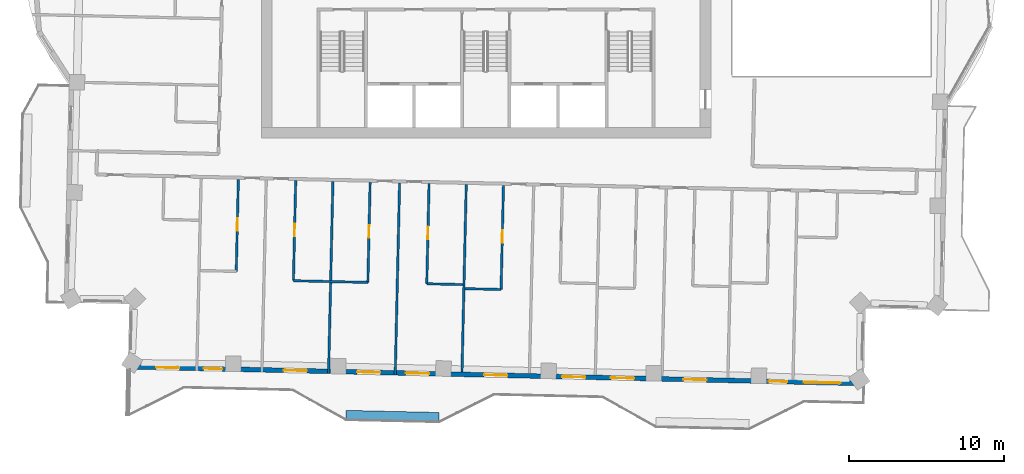
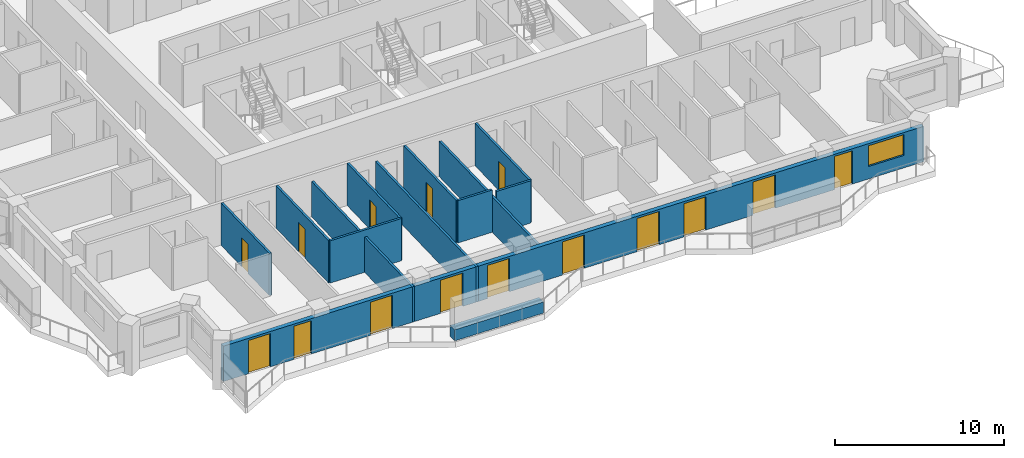
# One storey, part 6 of 17: 15 doors, 13 walls, 1 window, 16 openings.
"""IFC4 building model written with IfcOpenShell, lengths in metres."""

from ifc_helpers import new_model, si_unit, direction, frame, frame_2d, origin, place, context, subcontext, project, spatial, rectangle, extrude, material, layer, layer_set, type_object, element, fill, save


model = new_model("IFC4")

# Units and contexts
model_context = context("Model", 3, precision=1e-05, world=origin(), true_north=direction((0.0, 1.0)))
body_context = subcontext(model_context, "Body", "Model", "MODEL_VIEW")
ifc_project = project(units=[si_unit("LENGTHUNIT", "METRE"), si_unit("AREAUNIT", "SQUARE_METRE"), si_unit("VOLUMEUNIT", "CUBIC_METRE"), si_unit("PLANEANGLEUNIT", "RADIAN"), si_unit("MASSUNIT", "GRAM", prefix="KILO")], contexts=[model_context])

# Site, building, storey
site_placement = place(None, origin())
site = spatial("IfcSite", under=ifc_project, at=site_placement, CompositionType="ELEMENT")
building_placement = place(site_placement, origin())
building = spatial("IfcBuilding", under=site, at=building_placement, Name="Mangrove Gate Tower", CompositionType="ELEMENT")
storey_placement = place(building_placement, frame((0.0, 0.0, 264.5)))
storey = spatial("IfcBuildingStorey", under=building, at=storey_placement, Name="L67", CompositionType="ELEMENT", Elevation=264.5)

# Wall, openings, doors, window
ifc_material_1 = material(Name="Limestone", Category="masonry")
ifc_layer_1 = layer(ifc_material_1, 0.0400390625, Name="Limestone cladding")
ifc_material_2 = material(Name="Ventilated air gap")
ifc_layer_2 = layer(ifc_material_2, 0.0400390625, Name="Ventilated cavity")
ifc_material_3 = material(Name="Mineral wool insulation")
ifc_layer_3 = layer(ifc_material_3, 0.06005859375, Name="Insulation")
ifc_material_4 = material(Name="Breather membrane")
ifc_layer_4 = layer(ifc_material_4, 0.001953125, Name="Breather membrane")
ifc_material_5 = material(Name="Concrete C20/25 blockwork", Category="masonry")
ifc_layer_5 = layer(ifc_material_5, 0.14990234375, Name="Blockwork backing wall")
ifc_material_6 = material(Name="Gypsum plaster")
ifc_layer_6 = layer(ifc_material_6, 0.008056640625, Name="Internal plaster")
ifc_layer_set_1 = layer_set([ifc_layer_1, ifc_layer_2, ifc_layer_3, ifc_layer_4, ifc_layer_5, ifc_layer_6], Name="External wall 300 limestone cladding")
wall_type_1 = type_object("IfcWallType", Name="External wall 300 limestone cladding", PredefinedType="SOLIDWALL", material=ifc_layer_set_1)
wall_1_placement = place(storey_placement, frame((-22.949951171875, -26.2490234375, 0.0), z_axis=(0.0, 0.0, 1.0), x_axis=(0.999742196137, -0.022705533743, 0.0)))
wall_1 = element("IfcWall", 1, at=wall_1_placement, inside=storey, type_object=wall_type_1, Name="WALL-L67-S13", PredefinedType="SOLIDWALL", context=body_context, shape_type="SweptSolid", body=[
    extrude(rectangle(XDim=47.171142578125, YDim=0.300048828125, at=frame_2d((23.58544921875, 0.0))), origin(), (0.0, 0.0, 1.0), 2.550048828125),
])
opening_1_placement = place(wall_1_placement, frame((1.676025390625, 0.0, 0.0)))
opening_1 = element("IfcOpeningElement", 2, at=opening_1_placement, cuts=wall_1, Name="Opening BD1", PredefinedType="OPENING", context=body_context, shape_type="SweptSolid", body=[
    extrude(rectangle(XDim=1.5, YDim=2.39990234375, at=frame_2d((0.75, 1.199951171875))), frame((0.0, 0.159912109375, 0.0), z_axis=(0.0, -1.0, 0.0), x_axis=(1.0, 0.0, 0.0)), (0.0, 0.0, 1.0), 0.320068359375),
])
opening_2_placement = place(wall_1_placement, frame((4.740966796875, 0.0, 0.0)))
opening_2 = element("IfcOpeningElement", 3, at=opening_2_placement, cuts=wall_1, Name="Opening BD2", PredefinedType="OPENING", context=body_context, shape_type="SweptSolid", body=[
    extrude(rectangle(XDim=1.199951171875, YDim=2.39990234375, at=frame_2d((0.60009765625, 1.199951171875))), frame((0.0, 0.159912109375, 0.0), z_axis=(0.0, -1.0, 0.0), x_axis=(1.0, 0.0, 0.0)), (0.0, 0.0, 1.0), 0.320068359375),
])
opening_3_placement = place(wall_1_placement, frame((9.89990234375, 0.0, 0.0)))
opening_3 = element("IfcOpeningElement", 4, at=opening_3_placement, cuts=wall_1, Name="Opening BD1", PredefinedType="OPENING", context=body_context, shape_type="SweptSolid", body=[
    extrude(rectangle(XDim=1.5, YDim=2.39990234375, at=frame_2d((0.75, 1.199951171875))), frame((0.0, 0.159912109375, 0.0), z_axis=(0.0, -1.0, 0.0), x_axis=(1.0, 0.0, 0.0)), (0.0, 0.0, 1.0), 0.320068359375),
])
opening_4_placement = place(wall_1_placement, frame((14.632080078125, 0.0, 0.0)))
opening_4 = element("IfcOpeningElement", 5, at=opening_4_placement, cuts=wall_1, Name="Opening BD1", PredefinedType="OPENING", context=body_context, shape_type="SweptSolid", body=[
    extrude(rectangle(XDim=1.5, YDim=2.39990234375, at=frame_2d((0.75, 1.199951171875))), frame((0.0, 0.159912109375, 0.0), z_axis=(0.0, -1.0, 0.0), x_axis=(1.0, 0.0, 0.0)), (0.0, 0.0, 1.0), 0.320068359375),
])
opening_5_placement = place(wall_1_placement, frame((17.77294921875, 0.0, 0.0)))
opening_5 = element("IfcOpeningElement", 6, at=opening_5_placement, cuts=wall_1, Name="Opening BD1", PredefinedType="OPENING", context=body_context, shape_type="SweptSolid", body=[
    extrude(rectangle(XDim=1.5, YDim=2.39990234375, at=frame_2d((0.75, 1.199951171875))), frame((0.0, 0.159912109375, 0.0), z_axis=(0.0, -1.0, 0.0), x_axis=(1.0, 0.0, 0.0)), (0.0, 0.0, 1.0), 0.320068359375),
])
opening_6_placement = place(wall_1_placement, frame((22.824951171875, 0.0, 0.0)))
opening_6 = element("IfcOpeningElement", 7, at=opening_6_placement, cuts=wall_1, Name="Opening BD1", PredefinedType="OPENING", context=body_context, shape_type="SweptSolid", body=[
    extrude(rectangle(XDim=1.5, YDim=2.39990234375, at=frame_2d((0.75, 1.199951171875))), frame((0.0, 0.159912109375, 0.0), z_axis=(0.0, -1.0, 0.0), x_axis=(1.0, 0.0, 0.0)), (0.0, 0.0, 1.0), 0.320068359375),
])
opening_7_placement = place(wall_1_placement, frame((27.863037109375, 0.0, 0.0)))
opening_7 = element("IfcOpeningElement", 8, at=opening_7_placement, cuts=wall_1, Name="Opening BD1", PredefinedType="OPENING", context=body_context, shape_type="SweptSolid", body=[
    extrude(rectangle(XDim=1.5, YDim=2.39990234375, at=frame_2d((0.75, 1.199951171875))), frame((0.0, 0.159912109375, 0.0), z_axis=(0.0, -1.0, 0.0), x_axis=(1.0, 0.0, 0.0)), (0.0, 0.0, 1.0), 0.320068359375),
])
opening_8_placement = place(wall_1_placement, frame((31.00390625, 0.0, 0.0)))
opening_8 = element("IfcOpeningElement", 9, at=opening_8_placement, cuts=wall_1, Name="Opening BD1", PredefinedType="OPENING", context=body_context, shape_type="SweptSolid", body=[
    extrude(rectangle(XDim=1.5, YDim=2.39990234375, at=frame_2d((0.75, 1.199951171875))), frame((0.0, 0.159912109375, 0.0), z_axis=(0.0, -1.0, 0.0), x_axis=(1.0, 0.0, 0.0)), (0.0, 0.0, 1.0), 0.320068359375),
])
opening_9_placement = place(wall_1_placement, frame((35.675048828125, 0.0, 0.0)))
opening_9 = element("IfcOpeningElement", 10, at=opening_9_placement, cuts=wall_1, Name="Opening BD1", PredefinedType="OPENING", context=body_context, shape_type="SweptSolid", body=[
    extrude(rectangle(XDim=1.5, YDim=2.39990234375, at=frame_2d((0.75, 1.199951171875))), frame((0.0, 0.159912109375, 0.0), z_axis=(0.0, -1.0, 0.0), x_axis=(1.0, 0.0, 0.0)), (0.0, 0.0, 1.0), 0.320068359375),
])
opening_10_placement = place(wall_1_placement, frame((41.169921875, 0.0, 0.0)))
opening_10 = element("IfcOpeningElement", 11, at=opening_10_placement, cuts=wall_1, Name="Opening BD2", PredefinedType="OPENING", context=body_context, shape_type="SweptSolid", body=[
    extrude(rectangle(XDim=1.199951171875, YDim=2.39990234375, at=frame_2d((0.60009765625, 1.199951171875))), frame((0.0, 0.159912109375, 0.0), z_axis=(0.0, -1.0, 0.0), x_axis=(1.0, 0.0, 0.0)), (0.0, 0.0, 1.0), 0.320068359375),
])
opening_11_placement = place(wall_1_placement, frame((43.43798828125, 0.0, 0.89990234375)))
opening_11 = element("IfcOpeningElement", 12, at=opening_11_placement, cuts=wall_1, Name="Opening W2", PredefinedType="OPENING", context=body_context, shape_type="SweptSolid", body=[
    extrude(rectangle(XDim=2.39990234375, YDim=1.5, at=frame_2d((1.199951171875, 0.75))), frame((0.0, 0.159912109375, 0.0), z_axis=(0.0, -1.0, 0.0), x_axis=(1.0, 0.0, 0.0)), (0.0, 0.0, 1.0), 0.320068359375),
])
ifc_material_7 = material(Name="Aluminium frame with laminated clear glass", Category="aluminium")
door_type_1 = type_object("IfcDoorType", Name="Balcony sliding door 1200x2400", OperationType="SLIDING_TO_LEFT", PredefinedType="DOOR", material=ifc_material_7)
door_1_placement = place(opening_2_placement, origin())
door_1 = element("IfcDoor", 13, at=door_1_placement, inside=storey, type_object=door_type_1, Name="DOOR-L67-S13-2", OperationType="SLIDING_TO_LEFT", OverallHeight=2.39990234375, OverallWidth=1.199951171875, PredefinedType="DOOR", context=body_context, shape_type="SweptSolid", body=[
    extrude(rectangle(XDim=1.199951171875, YDim=2.39990234375, at=frame_2d((0.60009765625, 1.199951171875))), frame((0.0, 0.02490234375, 0.0), z_axis=(0.0, -1.0, 0.0), x_axis=(1.0, 0.0, 0.0)), (0.0, 0.0, 1.0), 0.050048828125),
])
fill(opening_2, door_1)
door_2_placement = place(opening_10_placement, origin())
door_2 = element("IfcDoor", 14, at=door_2_placement, inside=storey, type_object=door_type_1, Name="DOOR-L67-S13-10", OperationType="SLIDING_TO_LEFT", OverallHeight=2.39990234375, OverallWidth=1.199951171875, PredefinedType="DOOR", context=body_context, shape_type="SweptSolid", body=[
    extrude(rectangle(XDim=1.199951171875, YDim=2.39990234375, at=frame_2d((0.60009765625, 1.199951171875))), frame((0.0, 0.02490234375, 0.0), z_axis=(0.0, -1.0, 0.0), x_axis=(1.0, 0.0, 0.0)), (0.0, 0.0, 1.0), 0.050048828125),
])
fill(opening_10, door_2)
ifc_material_8 = material(Name="Aluminium frame with laminated clear glass", Category="aluminium")
door_type_2 = type_object("IfcDoorType", Name="Balcony sliding door 1500x2400", OperationType="SLIDING_TO_LEFT", PredefinedType="DOOR", material=ifc_material_8)
door_3_placement = place(opening_1_placement, origin())
door_3 = element("IfcDoor", 15, at=door_3_placement, inside=storey, type_object=door_type_2, Name="DOOR-L67-S13-1", OperationType="SLIDING_TO_LEFT", OverallHeight=2.39990234375, OverallWidth=1.5, PredefinedType="DOOR", context=body_context, shape_type="SweptSolid", body=[
    extrude(rectangle(XDim=1.5, YDim=2.39990234375, at=frame_2d((0.75, 1.199951171875))), frame((0.0, 0.02490234375, 0.0), z_axis=(0.0, -1.0, 0.0), x_axis=(1.0, 0.0, 0.0)), (0.0, 0.0, 1.0), 0.050048828125),
])
fill(opening_1, door_3)
door_4_placement = place(opening_3_placement, origin())
door_4 = element("IfcDoor", 16, at=door_4_placement, inside=storey, type_object=door_type_2, Name="DOOR-L67-S13-3", OperationType="SLIDING_TO_LEFT", OverallHeight=2.39990234375, OverallWidth=1.5, PredefinedType="DOOR", context=body_context, shape_type="SweptSolid", body=[
    extrude(rectangle(XDim=1.5, YDim=2.39990234375, at=frame_2d((0.75, 1.199951171875))), frame((0.0, 0.02490234375, 0.0), z_axis=(0.0, -1.0, 0.0), x_axis=(1.0, 0.0, 0.0)), (0.0, 0.0, 1.0), 0.050048828125),
])
fill(opening_3, door_4)
door_5_placement = place(opening_4_placement, origin())
door_5 = element("IfcDoor", 17, at=door_5_placement, inside=storey, type_object=door_type_2, Name="DOOR-L67-S13-4", OperationType="SLIDING_TO_LEFT", OverallHeight=2.39990234375, OverallWidth=1.5, PredefinedType="DOOR", context=body_context, shape_type="SweptSolid", body=[
    extrude(rectangle(XDim=1.5, YDim=2.39990234375, at=frame_2d((0.75, 1.199951171875))), frame((0.0, 0.02490234375, 0.0), z_axis=(0.0, -1.0, 0.0), x_axis=(1.0, 0.0, 0.0)), (0.0, 0.0, 1.0), 0.050048828125),
])
fill(opening_4, door_5)
door_6_placement = place(opening_5_placement, origin())
door_6 = element("IfcDoor", 18, at=door_6_placement, inside=storey, type_object=door_type_2, Name="DOOR-L67-S13-5", OperationType="SLIDING_TO_LEFT", OverallHeight=2.39990234375, OverallWidth=1.5, PredefinedType="DOOR", context=body_context, shape_type="SweptSolid", body=[
    extrude(rectangle(XDim=1.5, YDim=2.39990234375, at=frame_2d((0.75, 1.199951171875))), frame((0.0, 0.02490234375, 0.0), z_axis=(0.0, -1.0, 0.0), x_axis=(1.0, 0.0, 0.0)), (0.0, 0.0, 1.0), 0.050048828125),
])
fill(opening_5, door_6)
door_7_placement = place(opening_6_placement, origin())
door_7 = element("IfcDoor", 19, at=door_7_placement, inside=storey, type_object=door_type_2, Name="DOOR-L67-S13-6", OperationType="SLIDING_TO_LEFT", OverallHeight=2.39990234375, OverallWidth=1.5, PredefinedType="DOOR", context=body_context, shape_type="SweptSolid", body=[
    extrude(rectangle(XDim=1.5, YDim=2.39990234375, at=frame_2d((0.75, 1.199951171875))), frame((0.0, 0.02490234375, 0.0), z_axis=(0.0, -1.0, 0.0), x_axis=(1.0, 0.0, 0.0)), (0.0, 0.0, 1.0), 0.050048828125),
])
fill(opening_6, door_7)
door_8_placement = place(opening_7_placement, origin())
door_8 = element("IfcDoor", 20, at=door_8_placement, inside=storey, type_object=door_type_2, Name="DOOR-L67-S13-7", OperationType="SLIDING_TO_LEFT", OverallHeight=2.39990234375, OverallWidth=1.5, PredefinedType="DOOR", context=body_context, shape_type="SweptSolid", body=[
    extrude(rectangle(XDim=1.5, YDim=2.39990234375, at=frame_2d((0.75, 1.199951171875))), frame((0.0, 0.02490234375, 0.0), z_axis=(0.0, -1.0, 0.0), x_axis=(1.0, 0.0, 0.0)), (0.0, 0.0, 1.0), 0.050048828125),
])
fill(opening_7, door_8)
door_9_placement = place(opening_8_placement, origin())
door_9 = element("IfcDoor", 21, at=door_9_placement, inside=storey, type_object=door_type_2, Name="DOOR-L67-S13-8", OperationType="SLIDING_TO_LEFT", OverallHeight=2.39990234375, OverallWidth=1.5, PredefinedType="DOOR", context=body_context, shape_type="SweptSolid", body=[
    extrude(rectangle(XDim=1.5, YDim=2.39990234375, at=frame_2d((0.75, 1.199951171875))), frame((0.0, 0.02490234375, 0.0), z_axis=(0.0, -1.0, 0.0), x_axis=(1.0, 0.0, 0.0)), (0.0, 0.0, 1.0), 0.050048828125),
])
fill(opening_8, door_9)
door_10_placement = place(opening_9_placement, origin())
door_10 = element("IfcDoor", 22, at=door_10_placement, inside=storey, type_object=door_type_2, Name="DOOR-L67-S13-9", OperationType="SLIDING_TO_LEFT", OverallHeight=2.39990234375, OverallWidth=1.5, PredefinedType="DOOR", context=body_context, shape_type="SweptSolid", body=[
    extrude(rectangle(XDim=1.5, YDim=2.39990234375, at=frame_2d((0.75, 1.199951171875))), frame((0.0, 0.02490234375, 0.0), z_axis=(0.0, -1.0, 0.0), x_axis=(1.0, 0.0, 0.0)), (0.0, 0.0, 1.0), 0.050048828125),
])
fill(opening_9, door_10)
ifc_material_9 = material(Name="Aluminium frame with double-glazed low-e glass", Category="aluminium")
window_type = type_object("IfcWindowType", Name="Corner room window 2400x1500", PartitioningType="DOUBLE_PANEL_VERTICAL", PredefinedType="WINDOW", material=ifc_material_9)
window_placement = place(opening_11_placement, origin())
window = element("IfcWindow", 23, at=window_placement, inside=storey, type_object=window_type, Name="WIN-L67-S13-11", OverallHeight=1.5, OverallWidth=2.39990234375, PartitioningType="DOUBLE_PANEL_VERTICAL", PredefinedType="WINDOW", context=body_context, shape_type="SweptSolid", body=[
    extrude(rectangle(XDim=2.39990234375, YDim=1.5, at=frame_2d((1.199951171875, 0.75))), frame((0.0, 0.030029296875, 0.0), z_axis=(0.0, -1.0, 0.0), x_axis=(1.0, 0.0, 0.0)), (0.0, 0.0, 1.0), 0.06005859375),
])
fill(opening_11, window)

# Walls
ifc_material_10 = material(Name="Gypsum board on steel stud, EI 60", Category="steel")
ifc_layer_7 = layer(ifc_material_10, 0.14990234375)
ifc_layer_set_2 = layer_set([ifc_layer_7], Name="Party wall 150 EI 60")
wall_type_2 = type_object("IfcWallType", Name="Party wall 150 EI 60", PredefinedType="PARTITIONING", material=ifc_layer_set_2)
wall_2_placement = place(storey_placement, frame((-10.160888671875, -26.68994140625, 0.0), z_axis=(0.0, 0.0, 1.0), x_axis=(0.022661475803, 0.999743195783, 0.0)))
element("IfcWall", 24, at=wall_2_placement, inside=storey, type_object=wall_type_2, Name="WALL-L67-003", PredefinedType="PARTITIONING", context=body_context, shape_type="SweptSolid", body=[
    extrude(rectangle(XDim=12.400146484375, YDim=0.14990234375, at=frame_2d((6.2001953125, 0.0))), origin(), (0.0, 0.0, 1.0), 2.550048828125),
])
wall_3_placement = place(storey_placement, frame((-5.862060546875, -26.787109375, 0.0), z_axis=(0.0, 0.0, 1.0), x_axis=(0.022661029756, 0.999743205894, 0.0)))
element("IfcWall", 25, at=wall_3_placement, inside=storey, type_object=wall_type_2, Name="WALL-L67-004", PredefinedType="PARTITIONING", context=body_context, shape_type="SweptSolid", body=[
    extrude(rectangle(XDim=12.400390625, YDim=0.14990234375, at=frame_2d((6.2001953125, 0.0))), origin(), (0.0, 0.0, 1.0), 2.550048828125),
])
wall_4_placement = place(storey_placement, frame((-1.556884765625, -26.5849609375, 0.0), z_axis=(0.0, 0.0, 1.0), x_axis=(0.022719113715, 0.999741887625, 0.0)))
element("IfcWall", 26, at=wall_4_placement, inside=storey, type_object=wall_type_2, Name="WALL-L67-005", PredefinedType="PARTITIONING", context=body_context, shape_type="SweptSolid", body=[
    extrude(rectangle(XDim=12.10009765625, YDim=0.14990234375, at=frame_2d((6.050048828125, 0.0))), origin(), (0.0, 0.0, 1.0), 2.550048828125),
])
wall_5_placement = place(storey_placement, frame((-1.35498046875, -21.2080078125, 0.0), z_axis=(0.0, 0.0, 1.0), x_axis=(0.999740260747, -0.02279059109, 0.0)))
element("IfcWall", 27, at=wall_5_placement, inside=storey, type_object=wall_type_2, Name="WALL-L67-011", PredefinedType="PARTITIONING", context=body_context, shape_type="SweptSolid", body=[
    extrude(rectangle(XDim=2.324462890625, YDim=0.14990234375, at=frame_2d((1.162109375, 0.0))), origin(), (0.0, 0.0, 1.0), 3.050048828125),
])

# Wall, opening, door
wall_6_placement = place(storey_placement, frame((0.965087890625, -21.260986328125, 0.0), z_axis=(0.0, 0.0, 1.0), x_axis=(0.022595152847, 0.999744696944, 0.0)))
wall_6 = element("IfcWall", 28, at=wall_6_placement, inside=storey, type_object=wall_type_2, Name="WALL-L67-012", PredefinedType="PARTITIONING", context=body_context, shape_type="SweptSolid", body=[
    extrude(rectangle(XDim=6.720703125, YDim=0.14990234375, at=frame_2d((3.3603515625, 0.0))), origin(), (0.0, 0.0, 1.0), 3.050048828125),
])
opening_12_placement = place(wall_6_placement, frame((3.010009765625, 0.0, 0.0)))
opening_12 = element("IfcOpeningElement", 29, at=opening_12_placement, cuts=wall_6, Name="Opening ED", PredefinedType="OPENING", context=body_context, shape_type="SweptSolid", body=[
    extrude(rectangle(XDim=0.800048828125, YDim=2.10009765625, at=frame_2d((0.39990234375, 1.050048828125))), frame((0.0, 0.0849609375, 0.0), z_axis=(0.0, -1.0, 0.0), x_axis=(1.0, 0.0, 0.0)), (0.0, 0.0, 1.0), 0.169921875),
])
ifc_material_11 = material(Name="Timber door leaf", Category="wood")
door_type_3 = type_object("IfcDoorType", Name="En-suite door 800", OperationType="SINGLE_SWING_LEFT", PredefinedType="DOOR", material=ifc_material_11)
door_11_placement = place(opening_12_placement, origin())
door_11 = element("IfcDoor", 30, at=door_11_placement, inside=storey, type_object=door_type_3, Name="DOOR-L67-ENS-c205", OperationType="SINGLE_SWING_LEFT", OverallHeight=2.10009765625, OverallWidth=0.800048828125, PredefinedType="DOOR", context=body_context, shape_type="SweptSolid", body=[
    extrude(rectangle(XDim=0.800048828125, YDim=2.10009765625, at=frame_2d((0.39990234375, 1.050048828125))), frame((0.0, 0.02490234375, 0.0), z_axis=(0.0, -1.0, 0.0), x_axis=(1.0, 0.0, 0.0)), (0.0, 0.0, 1.0), 0.050048828125),
])
fill(opening_12, door_11)

wall_7_placement = place(storey_placement, frame((-12.426025390625, -20.697021484375, 0.0), z_axis=(0.0, 0.0, 1.0), x_axis=(0.02274887394, 0.999741210881, 0.0)))
wall_7 = element("IfcWall", 31, at=wall_7_placement, inside=storey, type_object=wall_type_2, Name="WALL-L67-013", PredefinedType="PARTITIONING", context=body_context, shape_type="SweptSolid", body=[
    extrude(rectangle(XDim=6.460693359375, YDim=0.14990234375, at=frame_2d((3.23046875, 0.0))), origin(), (0.0, 0.0, 1.0), 3.050048828125),
])
opening_13_placement = place(wall_7_placement, frame((2.8798828125, 0.0, 0.0)))
opening_13 = element("IfcOpeningElement", 32, at=opening_13_placement, cuts=wall_7, Name="Opening ED", PredefinedType="OPENING", context=body_context, shape_type="SweptSolid", body=[
    extrude(rectangle(XDim=0.800048828125, YDim=2.10009765625, at=frame_2d((0.39990234375, 1.050048828125))), frame((0.0, 0.0849609375, 0.0), z_axis=(0.0, -1.0, 0.0), x_axis=(1.0, 0.0, 0.0)), (0.0, 0.0, 1.0), 0.169921875),
])
door_12_placement = place(opening_13_placement, origin())
door_12 = element("IfcDoor", 33, at=door_12_placement, inside=storey, type_object=door_type_3, Name="DOOR-L67-ENS-c102", OperationType="SINGLE_SWING_RIGHT", OverallHeight=2.10009765625, OverallWidth=0.800048828125, PredefinedType="DOOR", context=body_context, shape_type="SweptSolid", body=[
    extrude(rectangle(XDim=0.800048828125, YDim=2.10009765625, at=frame_2d((0.39990234375, 1.050048828125))), frame((0.0, 0.02490234375, 0.0), z_axis=(0.0, -1.0, 0.0), x_axis=(1.0, 0.0, 0.0)), (0.0, 0.0, 1.0), 0.050048828125),
])
fill(opening_13, door_12)

# Wall
wall_8_placement = place(storey_placement, frame((-12.422119140625, -20.697021484375, 0.0), z_axis=(0.0, 0.0, 1.0), x_axis=(0.999742701292, -0.022683280499, 0.0)))
element("IfcWall", 34, at=wall_8_placement, inside=storey, type_object=wall_type_2, Name="WALL-L67-014", PredefinedType="PARTITIONING", context=body_context, shape_type="SweptSolid", body=[
    extrude(rectangle(XDim=4.80029296875, YDim=0.14990234375, at=frame_2d((2.400146484375, 0.0))), origin(), (0.0, 0.0, 1.0), 3.050048828125),
])

# Wall, opening, door
wall_9_placement = place(storey_placement, frame((-7.626953125, -20.805908203125, 0.0), z_axis=(0.0, 0.0, 1.0), x_axis=(0.02274887394, 0.999741210881, 0.0)))
wall_9 = element("IfcWall", 35, at=wall_9_placement, inside=storey, type_object=wall_type_2, Name="WALL-L67-015", PredefinedType="PARTITIONING", context=body_context, shape_type="SweptSolid", body=[
    extrude(rectangle(XDim=6.460693359375, YDim=0.14990234375, at=frame_2d((3.23046875, 0.0))), origin(), (0.0, 0.0, 1.0), 3.050048828125),
])
opening_14_placement = place(wall_9_placement, frame((2.8798828125, 0.0, 0.0)))
opening_14 = element("IfcOpeningElement", 36, at=opening_14_placement, cuts=wall_9, Name="Opening ED", PredefinedType="OPENING", context=body_context, shape_type="SweptSolid", body=[
    extrude(rectangle(XDim=0.800048828125, YDim=2.10009765625, at=frame_2d((0.39990234375, 1.050048828125))), frame((0.0, 0.0849609375, 0.0), z_axis=(0.0, -1.0, 0.0), x_axis=(1.0, 0.0, 0.0)), (0.0, 0.0, 1.0), 0.169921875),
])
door_13_placement = place(opening_14_placement, origin())
door_13 = element("IfcDoor", 37, at=door_13_placement, inside=storey, type_object=door_type_3, Name="DOOR-L67-ENS-c103", OperationType="SINGLE_SWING_LEFT", OverallHeight=2.10009765625, OverallWidth=0.800048828125, PredefinedType="DOOR", context=body_context, shape_type="SweptSolid", body=[
    extrude(rectangle(XDim=0.800048828125, YDim=2.10009765625, at=frame_2d((0.39990234375, 1.050048828125))), frame((0.0, 0.02490234375, 0.0), z_axis=(0.0, -1.0, 0.0), x_axis=(1.0, 0.0, 0.0)), (0.0, 0.0, 1.0), 0.050048828125),
])
fill(opening_14, door_13)

wall_10_placement = place(storey_placement, frame((-3.827880859375, -20.89208984375, 0.0), z_axis=(0.0, 0.0, 1.0), x_axis=(0.02274887394, 0.999741210881, 0.0)))
wall_10 = element("IfcWall", 38, at=wall_10_placement, inside=storey, type_object=wall_type_2, Name="WALL-L67-016", PredefinedType="PARTITIONING", context=body_context, shape_type="SweptSolid", body=[
    extrude(rectangle(XDim=6.460693359375, YDim=0.14990234375, at=frame_2d((3.23046875, 0.0))), origin(), (0.0, 0.0, 1.0), 3.050048828125),
])
opening_15_placement = place(wall_10_placement, frame((2.8798828125, 0.0, 0.0)))
opening_15 = element("IfcOpeningElement", 39, at=opening_15_placement, cuts=wall_10, Name="Opening ED", PredefinedType="OPENING", context=body_context, shape_type="SweptSolid", body=[
    extrude(rectangle(XDim=0.800048828125, YDim=2.10009765625, at=frame_2d((0.39990234375, 1.050048828125))), frame((0.0, 0.0849609375, 0.0), z_axis=(0.0, -1.0, 0.0), x_axis=(1.0, 0.0, 0.0)), (0.0, 0.0, 1.0), 0.169921875),
])
door_14_placement = place(opening_15_placement, origin())
door_14 = element("IfcDoor", 40, at=door_14_placement, inside=storey, type_object=door_type_3, Name="DOOR-L67-ENS-c104", OperationType="SINGLE_SWING_RIGHT", OverallHeight=2.10009765625, OverallWidth=0.800048828125, PredefinedType="DOOR", context=body_context, shape_type="SweptSolid", body=[
    extrude(rectangle(XDim=0.800048828125, YDim=2.10009765625, at=frame_2d((0.39990234375, 1.050048828125))), frame((0.0, 0.02490234375, 0.0), z_axis=(0.0, -1.0, 0.0), x_axis=(1.0, 0.0, 0.0)), (0.0, 0.0, 1.0), 0.050048828125),
])
fill(opening_15, door_14)

# Wall
wall_11_placement = place(storey_placement, frame((-3.823974609375, -20.89208984375, 0.0), z_axis=(0.0, 0.0, 1.0), x_axis=(0.999740260747, -0.02279059109, 0.0)))
element("IfcWall", 41, at=wall_11_placement, inside=storey, type_object=wall_type_2, Name="WALL-L67-017", PredefinedType="PARTITIONING", context=body_context, shape_type="SweptSolid", body=[
    extrude(rectangle(XDim=2.324462890625, YDim=0.14990234375, at=frame_2d((1.162109375, 0.0))), origin(), (0.0, 0.0, 1.0), 3.050048828125),
])

# Wall, opening, door
wall_12_placement = place(storey_placement, frame((-16.113037109375, -20.093017578125, 0.0), z_axis=(0.0, 0.0, 1.0), x_axis=(0.022727006686, 0.999741708226, 0.0)))
wall_12 = element("IfcWall", 42, at=wall_12_placement, inside=storey, type_object=wall_type_2, Name="WALL-L67-025", PredefinedType="PARTITIONING", context=body_context, shape_type="SweptSolid", body=[
    extrude(rectangle(XDim=5.9404296875, YDim=0.14990234375, at=frame_2d((2.97021484375, 0.0))), origin(), (0.0, 0.0, 1.0), 3.050048828125),
])
opening_16_placement = place(wall_12_placement, frame((2.6201171875, 0.0, 0.0)))
opening_16 = element("IfcOpeningElement", 43, at=opening_16_placement, cuts=wall_12, Name="Opening ED", PredefinedType="OPENING", context=body_context, shape_type="SweptSolid", body=[
    extrude(rectangle(XDim=0.800048828125, YDim=2.10009765625, at=frame_2d((0.39990234375, 1.050048828125))), frame((0.0, 0.0849609375, 0.0), z_axis=(0.0, -1.0, 0.0), x_axis=(1.0, 0.0, 0.0)), (0.0, 0.0, 1.0), 0.169921875),
])
door_15_placement = place(opening_16_placement, origin())
door_15 = element("IfcDoor", 44, at=door_15_placement, inside=storey, type_object=door_type_3, Name="DOOR-L67-ENS-c101", OperationType="SINGLE_SWING_LEFT", OverallHeight=2.10009765625, OverallWidth=0.800048828125, PredefinedType="DOOR", context=body_context, shape_type="SweptSolid", body=[
    extrude(rectangle(XDim=0.800048828125, YDim=2.10009765625, at=frame_2d((0.39990234375, 1.050048828125))), frame((0.0, 0.02490234375, 0.0), z_axis=(0.0, -1.0, 0.0), x_axis=(1.0, 0.0, 0.0)), (0.0, 0.0, 1.0), 0.050048828125),
])
fill(opening_16, door_15)

# Wall
ifc_material_12 = material(Name="Concrete C32/40", Category="concrete")
ifc_layer_8 = layer(ifc_material_12, 0.199951171875, Name="Planter trough wall")
ifc_material_13 = material(Name="Bituminous waterproofing membrane")
ifc_layer_9 = layer(ifc_material_13, 0.0048828125, Name="Waterproofing")
ifc_material_14 = material(Name="Drainage board and gravel")
ifc_layer_10 = layer(ifc_material_14, 0.044921875, Name="Drainage layer")
ifc_material_15 = material(Name="Planting soil")
ifc_layer_11 = layer(ifc_material_15, 0.300048828125, Name="Growing medium")
ifc_layer_set_3 = layer_set([ifc_layer_8, ifc_layer_9, ifc_layer_10, ifc_layer_11], Name="Planter wall 550 C32/40")
wall_type_3 = type_object("IfcWallType", Name="Planter wall 550 C32/40", PredefinedType="USERDEFINED", material=ifc_layer_set_3)
wall_13_placement = place(storey_placement, frame((-9.031005859375, -29.3310546875, 0.0), z_axis=(0.0, 0.0, 1.0), x_axis=(0.999743094499, -0.022665943652, 0.0)))
element("IfcWall", 45, at=wall_13_placement, inside=storey, type_object=wall_type_3, Name="PLANTER L67 S0.1", ObjectType="PLANTER", PredefinedType="USERDEFINED", context=body_context, shape_type="SweptSolid", body=[
    extrude(rectangle(XDim=5.99951171875, YDim=0.550048828125, at=frame_2d((2.999755859375, 0.0))), origin(), (0.0, 0.0, 1.0), 0.800048828125),
])

save(model, "model.ifc")
